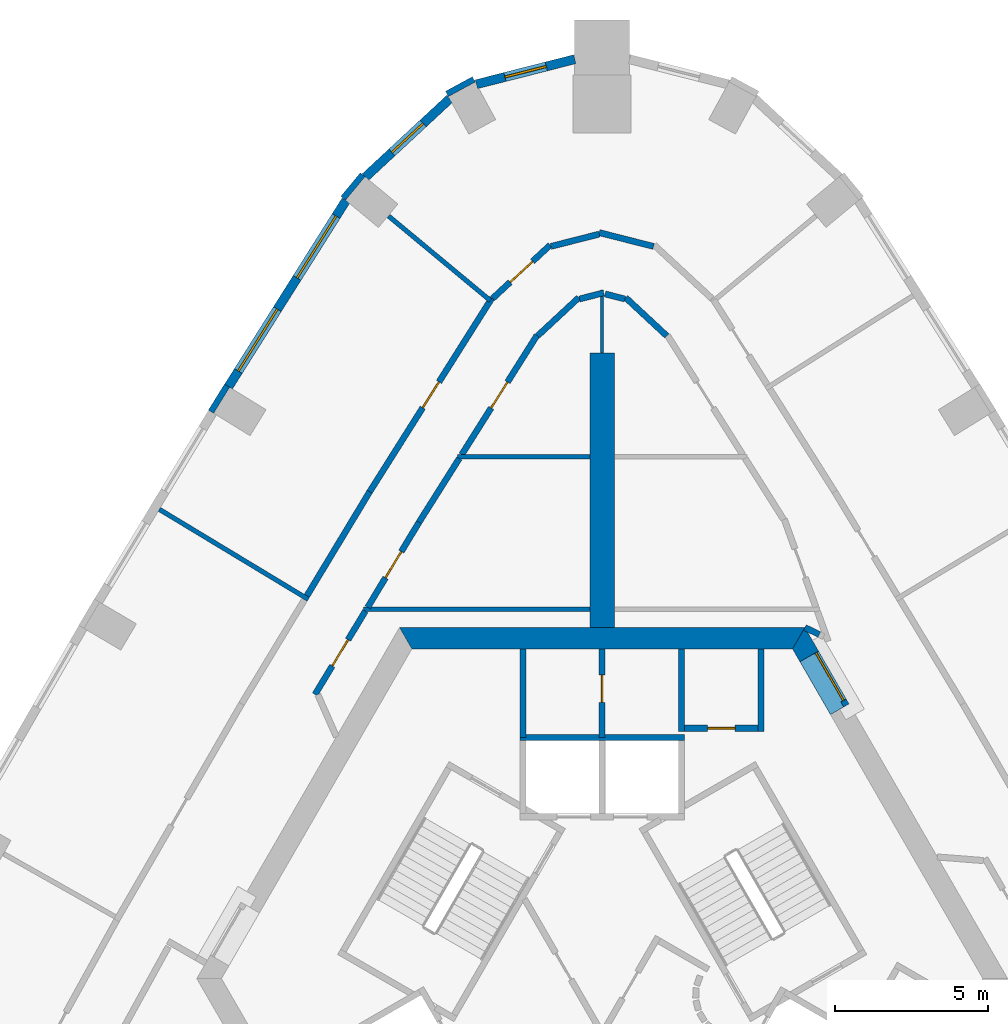
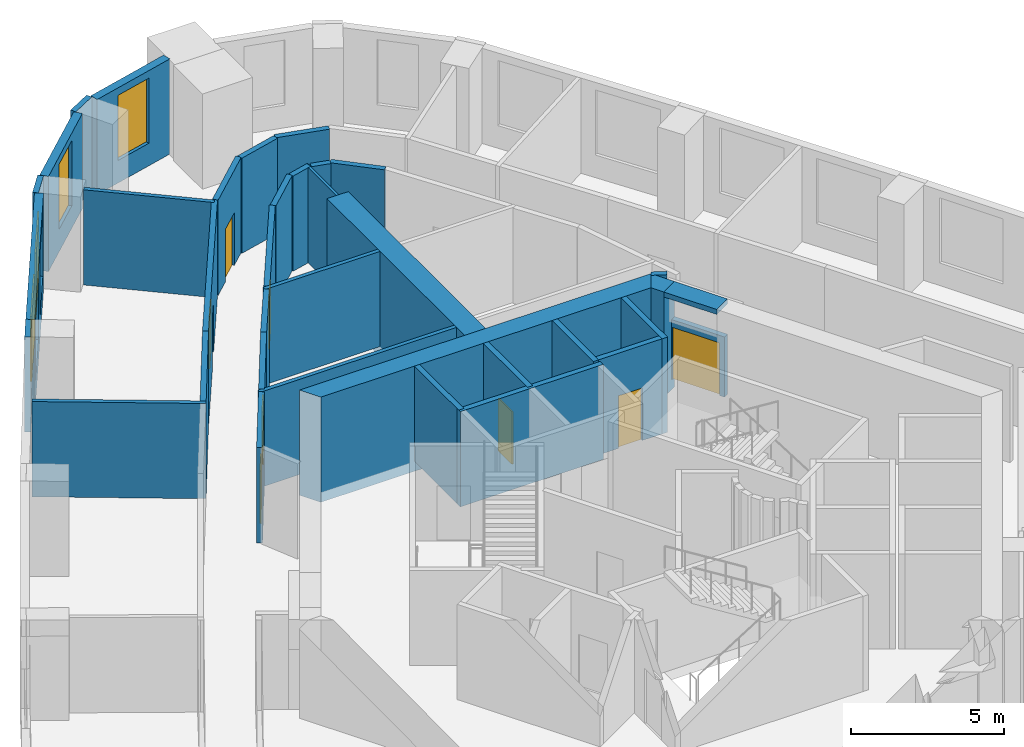
# One storey, part 8 of 11: 36 walls, 8 doors, 4 windows, 12 openings.
"""IFC4 building model written with IfcOpenShell, lengths in metres."""

from ifc_helpers import new_model, si_unit, direction, frame, frame_2d, origin, place, context, subcontext, project, spatial, polyline, rectangle, outline, extrude, material, layer, layer_set, type_object, element, fill, save


model = new_model("IFC4")

# Units and contexts
model_context = context("Model", 3, precision=1e-05, world=origin(), true_north=direction((0.0, 1.0)))
body_context = subcontext(model_context, "Body", "Model", "MODEL_VIEW")
ifc_project = project(units=[si_unit("LENGTHUNIT", "METRE"), si_unit("AREAUNIT", "SQUARE_METRE"), si_unit("VOLUMEUNIT", "CUBIC_METRE"), si_unit("PLANEANGLEUNIT", "RADIAN"), si_unit("MASSUNIT", "GRAM", prefix="KILO")], contexts=[model_context])

# Site, building, storey
site_placement = place(None, origin())
site = spatial("IfcSite", under=ifc_project, at=site_placement, CompositionType="ELEMENT")
building_placement = place(site_placement, origin())
building = spatial("IfcBuilding", under=site, at=building_placement, Name="Entoto Arch Interchange Tower", CompositionType="ELEMENT")
storey_placement = place(building_placement, frame((0.0, 0.0, 194.0)))
storey = spatial("IfcBuildingStorey", under=building, at=storey_placement, Name="L43", CompositionType="ELEMENT", Elevation=194.0)

# Wall
ifc_material_1 = material(Name="Concrete C50/60", Category="concrete")
ifc_layer_1 = layer(ifc_material_1, 0.800048828125)
ifc_layer_set_1 = layer_set([ifc_layer_1], Name="Concrete C50/60")
wall_type_1 = type_object("IfcWallType", Name="Buttress wall 800 C50/60", PredefinedType="SHEAR", material=ifc_layer_set_1)
wall_1_placement = place(storey_placement, frame((0.0, 14.0, -0.39990234375), z_axis=(0.0, 0.0, 1.0), x_axis=(0.0, 1.0, 0.0)))
element("IfcWall", 1, at=wall_1_placement, inside=storey, type_object=wall_type_1, Name="Buttress wall N L43", PredefinedType="SHEAR", context=body_context, shape_type="SweptSolid", body=[
    extrude(rectangle(XDim=9.0, YDim=0.800048828125, at=frame_2d((4.5, 0.0))), origin(), (0.0, 0.0, 1.0), 4.199951171875),
])

# Wall, opening, door
ifc_material_2 = material(Name="Reinforced concrete C40/50", Category="concrete")
ifc_layer_2 = layer(ifc_material_2, 0.199951171875)
ifc_layer_set_2 = layer_set([ifc_layer_2], Name="Reinforced concrete C40/50")
wall_type_2 = type_object("IfcWallType", Name="CORE GAP INFILL WALL", PredefinedType="PARTITIONING", material=ifc_layer_set_2)
wall_2_placement = place(storey_placement, frame((7.9970703125, 11.447998046875, 0.0), z_axis=(0.0, 0.0, 1.0), x_axis=(-0.50002537861, 0.866010750942, 0.0)))
wall_2 = element("IfcWall", 2, at=wall_2_placement, inside=storey, type_object=wall_type_2, Name="wall:L43:gap2", PredefinedType="PARTITIONING", context=body_context, shape_type="SweptSolid", body=[
    extrude(rectangle(XDim=2.0, YDim=0.199951171875, at=frame_2d((1.0, 0.0))), origin(), (0.0, 0.0, 1.0), 2.39990234375),
])
opening_1_placement = place(wall_2_placement, frame((0.18994140625, 0.0, 0.0)))
opening_1 = element("IfcOpeningElement", 3, at=opening_1_placement, cuts=wall_2, Name="Opening L43-D92", PredefinedType="OPENING", context=body_context, shape_type="SweptSolid", body=[
    extrude(rectangle(XDim=1.800048828125, YDim=2.10009765625, at=frame_2d((0.89990234375, 1.050048828125))), frame((0.0, 0.10986328125, 0.0), z_axis=(0.0, -1.0, 0.0), x_axis=(1.0, 0.0, 0.0)), (0.0, 0.0, 1.0), 0.219970703125),
])
ifc_material_3 = material(Name="Fire-rated Steel S235 door and frame", Category="steel")
door_type_1 = type_object("IfcDoorType", Name="DOOR FD-18 1800x2100", OperationType="DOUBLE_DOOR_SINGLE_SWING", PredefinedType="DOOR", material=ifc_material_3)
door_1_placement = place(opening_1_placement, origin())
door_1 = element("IfcDoor", 4, at=door_1_placement, inside=storey, type_object=door_type_1, Name="door:L43:gap2", OperationType="DOUBLE_DOOR_SINGLE_SWING", OverallHeight=2.10009765625, OverallWidth=1.800048828125, PredefinedType="DOOR", context=body_context, shape_type="SweptSolid", body=[
    extrude(rectangle(XDim=1.800048828125, YDim=2.10009765625, at=frame_2d((0.89990234375, 1.050048828125))), frame((0.0, 0.02490234375, 0.0), z_axis=(0.0, -1.0, 0.0), x_axis=(1.0, 0.0, 0.0)), (0.0, 0.0, 1.0), 0.050048828125),
])
fill(opening_1, door_1)

# Walls
ifc_layer_3 = layer(ifc_material_1, 0.699951171875)
ifc_layer_set_3 = layer_set([ifc_layer_3], Name="Concrete C50/60")
wall_type_3 = type_object("IfcWallType", Name="Core wall 700 C50/60", PredefinedType="SHEAR", material=ifc_layer_set_3)
wall_3_placement = place(storey_placement, frame((0.0, 0.0, -0.39990234375)))
element("IfcWall", 5, at=wall_3_placement, inside=storey, type_object=wall_type_3, Name="Core wall NE L43", PredefinedType="SHEAR", context=body_context, shape_type="SweptSolid", body=[
    extrude(outline(polyline([(6.47802734375, 12.8798828125), (7.083984375, 13.22998046875), (6.639892578125, 14.0), (6.235107421875, 13.300048828125), (6.47802734375, 12.8798828125)])), origin(), (0.0, 0.0, 1.0), 4.199951171875),
])
wall_4_placement = place(storey_placement, frame((0.0, 0.0, 3.60009765625)))
element("IfcWall", 6, at=wall_4_placement, inside=storey, type_object=wall_type_3, Name="Core wall lintel NE L43", PredefinedType="SHEAR", context=body_context, shape_type="SweptSolid", body=[
    extrude(outline(polyline([(7.083984375, 13.22998046875), (6.47802734375, 12.8798828125), (7.47802734375, 11.14794921875), (8.083984375, 11.498046875), (7.083984375, 13.22998046875)])), origin(), (0.0, 0.0, 1.0), 0.199951171875),
])
wall_5_placement = place(storey_placement, frame((0.0, 0.0, -0.39990234375)))
element("IfcWall", 7, at=wall_5_placement, inside=storey, type_object=wall_type_3, Name="Core wall N L43", PredefinedType="SHEAR", context=body_context, shape_type="SweptSolid", body=[
    extrude(outline(polyline([(6.639892578125, 14.0), (-6.639892578125, 14.0), (-6.235107421875, 13.300048828125), (6.235107421875, 13.300048828125), (6.639892578125, 14.0)])), origin(), (0.0, 0.0, 1.0), 4.199951171875),
])
ifc_material_4 = material(Name="Concrete C40/50", Category="concrete")
ifc_layer_4 = layer(ifc_material_4, 0.199951171875)
ifc_layer_set_4 = layer_set([ifc_layer_4], Name="Concrete C40/50")
wall_type_4 = type_object("IfcWallType", Name="LIFT SHAFT WALL 200", PredefinedType="STANDARD", material=ifc_layer_set_4)
wall_6_placement = place(storey_placement, frame((2.699951171875, 10.39990234375, 0.0), z_axis=(0.0, 0.0, 1.0), x_axis=(-1.0, 0.0, 0.0)))
element("IfcWall", 8, at=wall_6_placement, inside=storey, type_object=wall_type_4, Name="Shaft wall N1 back", PredefinedType="STANDARD", context=body_context, shape_type="SweptSolid", body=[
    extrude(rectangle(XDim=5.39990234375, YDim=0.199951171875, at=frame_2d((2.699951171875, 0.0))), origin(), (0.0, 0.0, 1.0), 3.800048828125),
])
ifc_material_5 = material(Name="Gypsum board partition on steel studs", Category="steel")
ifc_layer_5 = layer(ifc_material_5, 0.10009765625)
ifc_layer_set_5 = layer_set([ifc_layer_5], Name="Gypsum board partition on steel studs")
wall_type_5 = type_object("IfcWallType", Name="PARTITION 100", PredefinedType="PARTITIONING", material=ifc_layer_set_5)
wall_7_placement = place(storey_placement, frame((0.0, 23.0, 0.0), z_axis=(0.0, 0.0, 1.0), x_axis=(0.0, 1.0, 0.0)))
element("IfcWall", 9, at=wall_7_placement, inside=storey, type_object=wall_type_5, Name="wall:L43:p102", PredefinedType="PARTITIONING", context=body_context, shape_type="SweptSolid", body=[
    extrude(rectangle(XDim=2.051025390625, YDim=0.10009765625, at=frame_2d((1.025390625, 0.0))), origin(), (0.0, 0.0, 1.0), 3.800048828125),
])
ifc_layer_6 = layer(ifc_material_5, 0.14990234375)
ifc_layer_set_6 = layer_set([ifc_layer_6], Name="Gypsum board partition on steel studs")
wall_type_6 = type_object("IfcWallType", Name="PARTITION 150", PredefinedType="PARTITIONING", material=ifc_layer_set_6)
wall_8_placement = place(storey_placement, frame((-0.39990234375, 14.60009765625, 0.0), z_axis=(0.0, 0.0, 1.0), x_axis=(-1.0, 0.0, 0.0)))
element("IfcWall", 10, at=wall_8_placement, inside=storey, type_object=wall_type_6, Name="wall:L43:p078", PredefinedType="PARTITIONING", context=body_context, shape_type="SweptSolid", body=[
    extrude(rectangle(XDim=7.420166015625, YDim=0.14990234375, at=frame_2d((3.7099609375, 0.0))), origin(), (0.0, 0.0, 1.0), 3.800048828125),
])
wall_9_placement = place(storey_placement, frame((-4.741943359375, 19.60009765625, 0.0), z_axis=(0.0, 0.0, 1.0), x_axis=(1.0, 0.0, 0.0)))
element("IfcWall", 11, at=wall_9_placement, inside=storey, type_object=wall_type_6, Name="wall:L43:p101", PredefinedType="PARTITIONING", context=body_context, shape_type="SweptSolid", body=[
    extrude(rectangle(XDim=4.342041015625, YDim=0.14990234375, at=frame_2d((2.1708984375, 0.0))), origin(), (0.0, 0.0, 1.0), 3.800048828125),
])
wall_10_placement = place(storey_placement, frame((-3.6630859375, 24.7099609375, 0.0), z_axis=(0.0, 0.0, 1.0), x_axis=(-0.76953221629, 0.638607992505, 0.0)))
element("IfcWall", 12, at=wall_10_placement, inside=storey, type_object=wall_type_6, Name="wall:L43:p116", PredefinedType="PARTITIONING", context=body_context, shape_type="SweptSolid", body=[
    extrude(rectangle(XDim=4.329833984375, YDim=0.14990234375, at=frame_2d((2.1650390625, 0.0))), origin(), (0.0, 0.0, 1.0), 3.800048828125),
])
wall_11_placement = place(storey_placement, frame((-9.6279296875, 14.924072265625, 0.0), z_axis=(0.0, 0.0, 1.0), x_axis=(-0.855931736607, 0.517088834021, 0.0)))
element("IfcWall", 13, at=wall_11_placement, inside=storey, type_object=wall_type_6, Name="wall:L43:p117", PredefinedType="PARTITIONING", context=body_context, shape_type="SweptSolid", body=[
    extrude(rectangle(XDim=5.69921875, YDim=0.14990234375, at=frame_2d((2.849609375, 0.0))), origin(), (0.0, 0.0, 1.0), 3.800048828125),
])
ifc_layer_7 = layer(ifc_material_5, 0.199951171875)
ifc_layer_set_7 = layer_set([ifc_layer_7], Name="Gypsum board partition on steel studs")
wall_type_7 = type_object("IfcWallType", Name="PARTITION 200", PredefinedType="PARTITIONING", material=ifc_layer_set_7)
wall_12_placement = place(storey_placement, frame((6.639892578125, 14.0, 0.0), z_axis=(0.0, 0.0, 1.0), x_axis=(0.899046412443, -0.437853341055, 0.0)))
element("IfcWall", 14, at=wall_12_placement, inside=storey, type_object=wall_type_7, Name="wall:L43:p001", PredefinedType="PARTITIONING", context=body_context, shape_type="SweptSolid", body=[
    extrude(rectangle(XDim=0.52294921875, YDim=0.199951171875, at=frame_2d((0.261474609375, 0.0))), origin(), (0.0, 0.0, 1.0), 3.800048828125),
])

# Wall, opening, door
wall_13_placement = place(storey_placement, frame((-7.759033203125, 14.535888671875, 0.0), z_axis=(0.0, 0.0, 1.0), x_axis=(-0.516926279395, -0.856029918678, 0.0)))
wall_13 = element("IfcWall", 15, at=wall_13_placement, inside=storey, type_object=wall_type_7, Name="wall:L43:p003", PredefinedType="PARTITIONING", context=body_context, shape_type="SweptSolid", body=[
    extrude(rectangle(XDim=3.18798828125, YDim=0.199951171875, at=frame_2d((1.593994140625, 0.0))), origin(), (0.0, 0.0, 1.0), 3.800048828125),
])
opening_2_placement = place(wall_13_placement, frame((1.093994140625, 0.0, 0.0)))
opening_2 = element("IfcOpeningElement", 16, at=opening_2_placement, cuts=wall_13, Name="Opening L43-D26", PredefinedType="OPENING", context=body_context, shape_type="SweptSolid", body=[
    extrude(rectangle(XDim=1.0, YDim=2.10009765625, at=frame_2d((0.5, 1.050048828125))), frame((0.0, 0.10986328125, 0.0), z_axis=(0.0, -1.0, 0.0), x_axis=(1.0, 0.0, 0.0)), (0.0, 0.0, 1.0), 0.219970703125),
])
ifc_material_6 = material(Name="Timber door leaf in Steel S235 frame", Category="steel")
door_type_2 = type_object("IfcDoorType", Name="DOOR DS-10 1000x2100", OperationType="SINGLE_SWING_LEFT", PredefinedType="DOOR", material=ifc_material_6)
door_2_placement = place(opening_2_placement, origin())
door_2 = element("IfcDoor", 17, at=door_2_placement, inside=storey, type_object=door_type_2, Name="door:L43:26", OperationType="SINGLE_SWING_LEFT", OverallHeight=2.10009765625, OverallWidth=1.0, PredefinedType="DOOR", context=body_context, shape_type="SweptSolid", body=[
    extrude(rectangle(XDim=1.0, YDim=2.10009765625, at=frame_2d((0.5, 1.050048828125))), frame((0.0, 0.02490234375, 0.0), z_axis=(0.0, -1.0, 0.0), x_axis=(1.0, 0.0, 0.0)), (0.0, 0.0, 1.0), 0.050048828125),
])
fill(opening_2, door_2)

# Wall
wall_14_placement = place(storey_placement, frame((-4.681884765625, 19.537109375, 0.0), z_axis=(0.0, 0.0, 1.0), x_axis=(-0.533579580306, -0.845749863423, 0.0)))
element("IfcWall", 18, at=wall_14_placement, inside=storey, type_object=wall_type_7, Name="wall:L43:p009", PredefinedType="PARTITIONING", context=body_context, shape_type="SweptSolid", body=[
    extrude(rectangle(XDim=2.466552734375, YDim=0.199951171875, at=frame_2d((1.2333984375, 0.0))), origin(), (0.0, 0.0, 1.0), 3.800048828125),
])

# Wall, opening, door
wall_15_placement = place(storey_placement, frame((-5.998046875, 17.450927734375, 0.0), z_axis=(0.0, 0.0, 1.0), x_axis=(-0.516919907997, -0.856033766108, 0.0)))
wall_15 = element("IfcWall", 19, at=wall_15_placement, inside=storey, type_object=wall_type_7, Name="wall:L43:p010", PredefinedType="PARTITIONING", context=body_context, shape_type="SweptSolid", body=[
    extrude(rectangle(XDim=3.255615234375, YDim=0.199951171875, at=frame_2d((1.6279296875, 0.0))), origin(), (0.0, 0.0, 1.0), 3.800048828125),
])
opening_3_placement = place(wall_15_placement, frame((1.1279296875, 0.0, 0.0)))
opening_3 = element("IfcOpeningElement", 20, at=opening_3_placement, cuts=wall_15, Name="Opening L43-D22", PredefinedType="OPENING", context=body_context, shape_type="SweptSolid", body=[
    extrude(rectangle(XDim=1.0, YDim=2.10009765625, at=frame_2d((0.5, 1.050048828125))), frame((0.0, 0.10986328125, 0.0), z_axis=(0.0, -1.0, 0.0), x_axis=(1.0, 0.0, 0.0)), (0.0, 0.0, 1.0), 0.219970703125),
])
door_3_placement = place(opening_3_placement, origin())
door_3 = element("IfcDoor", 21, at=door_3_placement, inside=storey, type_object=door_type_2, Name="door:L43:22", OperationType="SINGLE_SWING_RIGHT", OverallHeight=2.10009765625, OverallWidth=1.0, PredefinedType="DOOR", context=body_context, shape_type="SweptSolid", body=[
    extrude(rectangle(XDim=1.0, YDim=2.10009765625, at=frame_2d((0.5, 1.050048828125))), frame((0.0, 0.02490234375, 0.0), z_axis=(0.0, -1.0, 0.0), x_axis=(1.0, 0.0, 0.0)), (0.0, 0.0, 1.0), 0.050048828125),
])
fill(opening_3, door_3)

# Walls
wall_16_placement = place(storey_placement, frame((2.115966796875, 23.553955078125, 0.0), z_axis=(0.0, 0.0, 1.0), x_axis=(-0.732722533409, 0.680527507919, 0.0)))
element("IfcWall", 22, at=wall_16_placement, inside=storey, type_object=wall_type_7, Name="wall:L43:p012", PredefinedType="PARTITIONING", context=body_context, shape_type="SweptSolid", body=[
    extrude(rectangle(XDim=1.838134765625, YDim=0.199951171875, at=frame_2d((0.9189453125, 0.0))), origin(), (0.0, 0.0, 1.0), 3.800048828125),
])
wall_17_placement = place(storey_placement, frame((0.7451171875, 24.760986328125, 0.0), z_axis=(0.0, 0.0, 1.0), x_axis=(-0.969081307177, 0.246741605895, 0.0)))
element("IfcWall", 23, at=wall_17_placement, inside=storey, type_object=wall_type_7, Name="wall:L43:p013", PredefinedType="PARTITIONING", context=body_context, shape_type="SweptSolid", body=[
    extrude(rectangle(XDim=0.6689453125, YDim=0.199951171875, at=frame_2d((0.33447265625, 0.0))), origin(), (0.0, 0.0, 1.0), 3.800048828125),
])
wall_18_placement = place(storey_placement, frame((0.048095703125, 24.962890625, 0.0), z_axis=(0.0, 0.0, 1.0), x_axis=(-0.969098470359, -0.246674187438, 0.0)))
element("IfcWall", 24, at=wall_18_placement, inside=storey, type_object=wall_type_7, Name="wall:L43:p014", PredefinedType="PARTITIONING", context=body_context, shape_type="SweptSolid", body=[
    extrude(rectangle(XDim=0.818603515625, YDim=0.199951171875, at=frame_2d((0.4091796875, 0.0))), origin(), (0.0, 0.0, 1.0), 3.800048828125),
])
wall_19_placement = place(storey_placement, frame((-0.76904296875, 24.804931640625, 0.0), z_axis=(0.0, 0.0, 1.0), x_axis=(-0.732722533409, -0.680527507919, 0.0)))
element("IfcWall", 25, at=wall_19_placement, inside=storey, type_object=wall_type_7, Name="wall:L43:p015", PredefinedType="PARTITIONING", context=body_context, shape_type="SweptSolid", body=[
    extrude(rectangle(XDim=1.838134765625, YDim=0.199951171875, at=frame_2d((0.9189453125, 0.0))), origin(), (0.0, 0.0, 1.0), 3.800048828125),
])

# Wall, opening, door
wall_20_placement = place(storey_placement, frame((-2.135986328125, 23.571044921875, 0.0), z_axis=(0.0, 0.0, 1.0), x_axis=(-0.533664968846, -0.845695986171, 0.0)))
wall_20 = element("IfcWall", 26, at=wall_20_placement, inside=storey, type_object=wall_type_7, Name="wall:L43:p016", PredefinedType="PARTITIONING", context=body_context, shape_type="SweptSolid", body=[
    extrude(rectangle(XDim=4.62109375, YDim=0.199951171875, at=frame_2d((2.310546875, 0.0))), origin(), (0.0, 0.0, 1.0), 3.800048828125),
])
opening_4_placement = place(wall_20_placement, frame((1.81005859375, 0.0, 0.0)))
opening_4 = element("IfcOpeningElement", 27, at=opening_4_placement, cuts=wall_20, Name="Opening L43-D24", PredefinedType="OPENING", context=body_context, shape_type="SweptSolid", body=[
    extrude(rectangle(XDim=1.0, YDim=2.10009765625, at=frame_2d((0.5, 1.050048828125))), frame((0.0, 0.10986328125, 0.0), z_axis=(0.0, -1.0, 0.0), x_axis=(1.0, 0.0, 0.0)), (0.0, 0.0, 1.0), 0.219970703125),
])
door_4_placement = place(opening_4_placement, origin())
door_4 = element("IfcDoor", 28, at=door_4_placement, inside=storey, type_object=door_type_2, Name="door:L43:24", OperationType="SINGLE_SWING_LEFT", OverallHeight=2.10009765625, OverallWidth=1.0, PredefinedType="DOOR", context=body_context, shape_type="SweptSolid", body=[
    extrude(rectangle(XDim=1.0, YDim=2.10009765625, at=frame_2d((0.5, 1.050048828125))), frame((0.0, 0.02490234375, 0.0), z_axis=(0.0, -1.0, 0.0), x_axis=(1.0, 0.0, 0.0)), (0.0, 0.0, 1.0), 0.050048828125),
])
fill(opening_4, door_4)

wall_21_placement = place(storey_placement, frame((-3.590087890625, 24.778076171875, 0.0), z_axis=(0.0, 0.0, 1.0), x_axis=(0.732939008525, 0.680294355248, 0.0)))
wall_21 = element("IfcWall", 29, at=wall_21_placement, inside=storey, type_object=wall_type_7, Name="wall:L43:p048", PredefinedType="PARTITIONING", context=body_context, shape_type="SweptSolid", body=[
    extrude(rectangle(XDim=2.569091796875, YDim=0.199951171875, at=frame_2d((1.28466796875, 0.0))), origin(), (0.0, 0.0, 1.0), 3.800048828125),
])
opening_5_placement = place(wall_21_placement, frame((0.784912109375, 0.0, 0.0)))
opening_5 = element("IfcOpeningElement", 30, at=opening_5_placement, cuts=wall_21, Name="Opening L43-D09", PredefinedType="OPENING", context=body_context, shape_type="SweptSolid", body=[
    extrude(rectangle(XDim=1.0, YDim=2.10009765625, at=frame_2d((0.5, 1.050048828125))), frame((0.0, 0.10986328125, 0.0), z_axis=(0.0, -1.0, 0.0), x_axis=(1.0, 0.0, 0.0)), (0.0, 0.0, 1.0), 0.219970703125),
])
door_5_placement = place(opening_5_placement, origin())
door_5 = element("IfcDoor", 31, at=door_5_placement, inside=storey, type_object=door_type_2, Name="door:L43:09", OperationType="SINGLE_SWING_LEFT", OverallHeight=2.10009765625, OverallWidth=1.0, PredefinedType="DOOR", context=body_context, shape_type="SweptSolid", body=[
    extrude(rectangle(XDim=1.0, YDim=2.10009765625, at=frame_2d((0.5, 1.050048828125))), frame((0.0, 0.02490234375, 0.0), z_axis=(0.0, -1.0, 0.0), x_axis=(1.0, 0.0, 0.0)), (0.0, 0.0, 1.0), 0.050048828125),
])
fill(opening_5, door_5)

# Walls
wall_22_placement = place(storey_placement, frame((-1.68310546875, 26.48291015625, 0.0), z_axis=(0.0, 0.0, 1.0), x_axis=(0.969053723172, 0.246849917169, 0.0)))
element("IfcWall", 32, at=wall_22_placement, inside=storey, type_object=wall_type_7, Name="wall:L43:p049", PredefinedType="PARTITIONING", context=body_context, shape_type="SweptSolid", body=[
    extrude(rectangle(XDim=1.63671875, YDim=0.199951171875, at=frame_2d((0.818359375, 0.0))), origin(), (0.0, 0.0, 1.0), 3.800048828125),
])
wall_23_placement = place(storey_placement, frame((-0.096923828125, 26.93603515625, 0.0), z_axis=(0.0, 0.0, 1.0), x_axis=(0.969093707519, -0.246692898252, 0.0)))
element("IfcWall", 33, at=wall_23_placement, inside=storey, type_object=wall_type_7, Name="wall:L43:p050", PredefinedType="PARTITIONING", context=body_context, shape_type="SweptSolid", body=[
    extrude(rectangle(XDim=1.8369140625, YDim=0.199951171875, at=frame_2d((0.91845703125, 0.0))), origin(), (0.0, 0.0, 1.0), 3.800048828125),
])
wall_24_placement = place(storey_placement, frame((-9.674072265625, 15.0390625, 0.0), z_axis=(0.0, 0.0, 1.0), x_axis=(0.516918251554, 0.856034766356, 0.0)))
element("IfcWall", 34, at=wall_24_placement, inside=storey, type_object=wall_type_7, Name="wall:L43:p052", PredefinedType="PARTITIONING", context=body_context, shape_type="SweptSolid", body=[
    extrude(rectangle(XDim=3.9833984375, YDim=0.199951171875, at=frame_2d((1.99169921875, 0.0))), origin(), (0.0, 0.0, 1.0), 3.800048828125),
])

# Wall, opening, door
wall_25_placement = place(storey_placement, frame((-7.614990234375, 18.448974609375, 0.0), z_axis=(0.0, 0.0, 1.0), x_axis=(0.533699180497, 0.845674396406, 0.0)))
wall_25 = element("IfcWall", 35, at=wall_25_placement, inside=storey, type_object=wall_type_7, Name="wall:L43:p053", PredefinedType="PARTITIONING", context=body_context, shape_type="SweptSolid", body=[
    extrude(rectangle(XDim=7.50390625, YDim=0.199951171875, at=frame_2d((3.751953125, 0.0))), origin(), (0.0, 0.0, 1.0), 3.800048828125),
])
opening_6_placement = place(wall_25_placement, frame((3.251953125, 0.0, 0.0)))
opening_6 = element("IfcOpeningElement", 36, at=opening_6_placement, cuts=wall_25, Name="Opening L43-D10", PredefinedType="OPENING", context=body_context, shape_type="SweptSolid", body=[
    extrude(rectangle(XDim=1.0, YDim=2.10009765625, at=frame_2d((0.5, 1.050048828125))), frame((0.0, 0.10986328125, 0.0), z_axis=(0.0, -1.0, 0.0), x_axis=(1.0, 0.0, 0.0)), (0.0, 0.0, 1.0), 0.219970703125),
])
door_6_placement = place(opening_6_placement, origin())
door_6 = element("IfcDoor", 37, at=door_6_placement, inside=storey, type_object=door_type_2, Name="door:L43:10", OperationType="SINGLE_SWING_RIGHT", OverallHeight=2.10009765625, OverallWidth=1.0, PredefinedType="DOOR", context=body_context, shape_type="SweptSolid", body=[
    extrude(rectangle(XDim=1.0, YDim=2.10009765625, at=frame_2d((0.5, 1.050048828125))), frame((0.0, 0.02490234375, 0.0), z_axis=(0.0, -1.0, 0.0), x_axis=(1.0, 0.0, 0.0)), (0.0, 0.0, 1.0), 0.050048828125),
])
fill(opening_6, door_6)

# Wall
wall_26_placement = place(storey_placement, frame((5.199951171875, 13.300048828125, 0.0), z_axis=(0.0, 0.0, 1.0), x_axis=(0.0, -1.0, 0.0)))
element("IfcWall", 38, at=wall_26_placement, inside=storey, type_object=wall_type_7, Name="wall:L43:p066", PredefinedType="PARTITIONING", context=body_context, shape_type="SweptSolid", body=[
    extrude(rectangle(XDim=2.699951171875, YDim=0.199951171875, at=frame_2d((1.35009765625, 0.0))), origin(), (0.0, 0.0, 1.0), 3.800048828125),
])

# Wall, opening, door
wall_27_placement = place(storey_placement, frame((5.10009765625, 10.699951171875, 0.0), z_axis=(0.0, 0.0, 1.0), x_axis=(-1.0, 0.0, 0.0)))
wall_27 = element("IfcWall", 39, at=wall_27_placement, inside=storey, type_object=wall_type_7, Name="wall:L43:p067", PredefinedType="PARTITIONING", context=body_context, shape_type="SweptSolid", body=[
    extrude(rectangle(XDim=2.400146484375, YDim=0.199951171875, at=frame_2d((1.2001953125, 0.0))), origin(), (0.0, 0.0, 1.0), 3.800048828125),
])
opening_7_placement = place(wall_27_placement, frame((0.75, 0.0, 0.0)))
opening_7 = element("IfcOpeningElement", 40, at=opening_7_placement, cuts=wall_27, Name="Opening L43-D30", PredefinedType="OPENING", context=body_context, shape_type="SweptSolid", body=[
    extrude(rectangle(XDim=0.89990234375, YDim=2.10009765625, at=frame_2d((0.449951171875, 1.050048828125))), frame((0.0, 0.10986328125, 0.0), z_axis=(0.0, -1.0, 0.0), x_axis=(1.0, 0.0, 0.0)), (0.0, 0.0, 1.0), 0.219970703125),
])
door_type_3 = type_object("IfcDoorType", Name="DOOR DS-09 900x2100", OperationType="SINGLE_SWING_LEFT", PredefinedType="DOOR", material=ifc_material_6)
door_7_placement = place(opening_7_placement, origin())
door_7 = element("IfcDoor", 41, at=door_7_placement, inside=storey, type_object=door_type_3, Name="door:L43:30", OperationType="SINGLE_SWING_RIGHT", OverallHeight=2.10009765625, OverallWidth=0.89990234375, PredefinedType="DOOR", context=body_context, shape_type="SweptSolid", body=[
    extrude(rectangle(XDim=0.89990234375, YDim=2.10009765625, at=frame_2d((0.449951171875, 1.050048828125))), frame((0.0, 0.02490234375, 0.0), z_axis=(0.0, -1.0, 0.0), x_axis=(1.0, 0.0, 0.0)), (0.0, 0.0, 1.0), 0.050048828125),
])
fill(opening_7, door_7)

# Walls
wall_28_placement = place(storey_placement, frame((2.60009765625, 10.60009765625, 0.0), z_axis=(0.0, 0.0, 1.0), x_axis=(0.0, 1.0, 0.0)))
element("IfcWall", 42, at=wall_28_placement, inside=storey, type_object=wall_type_7, Name="wall:L43:p068", PredefinedType="PARTITIONING", context=body_context, shape_type="SweptSolid", body=[
    extrude(rectangle(XDim=2.699951171875, YDim=0.199951171875, at=frame_2d((1.35009765625, 0.0))), origin(), (0.0, 0.0, 1.0), 3.800048828125),
])
wall_29_placement = place(storey_placement, frame((-2.59912109375, 10.39892578125, 0.0), z_axis=(0.0, 0.0, 1.0), x_axis=(-0.000336615314, 0.999999943345, 0.0)))
element("IfcWall", 43, at=wall_29_placement, inside=storey, type_object=wall_type_7, Name="wall:L43:p069", PredefinedType="PARTITIONING", context=body_context, shape_type="SweptSolid", body=[
    extrude(rectangle(XDim=2.901123046875, YDim=0.199951171875, at=frame_2d((1.45068359375, 0.0))), origin(), (0.0, 0.0, 1.0), 3.800048828125),
])

# Wall, opening, door
wall_30_placement = place(storey_placement, frame((0.0, 13.300048828125, 0.0), z_axis=(0.0, 0.0, 1.0), x_axis=(-0.000336728662, -0.999999943307, 0.0)))
wall_30 = element("IfcWall", 44, at=wall_30_placement, inside=storey, type_object=wall_type_7, Name="wall:L43:p070", PredefinedType="PARTITIONING", context=body_context, shape_type="SweptSolid", body=[
    extrude(rectangle(XDim=2.900146484375, YDim=0.199951171875, at=frame_2d((1.4501953125, 0.0))), origin(), (0.0, 0.0, 1.0), 3.800048828125),
])
opening_8_placement = place(wall_30_placement, frame((0.85009765625, 0.0, 0.0)))
opening_8 = element("IfcOpeningElement", 45, at=opening_8_placement, cuts=wall_30, Name="Opening L43-D31", PredefinedType="OPENING", context=body_context, shape_type="SweptSolid", body=[
    extrude(rectangle(XDim=0.89990234375, YDim=2.10009765625, at=frame_2d((0.449951171875, 1.050048828125))), frame((0.0, 0.10986328125, 0.0), z_axis=(0.0, -1.0, 0.0), x_axis=(1.0, 0.0, 0.0)), (0.0, 0.0, 1.0), 0.219970703125),
])
door_8_placement = place(opening_8_placement, origin())
door_8 = element("IfcDoor", 46, at=door_8_placement, inside=storey, type_object=door_type_3, Name="door:L43:31", OperationType="SINGLE_SWING_RIGHT", OverallHeight=2.10009765625, OverallWidth=0.89990234375, PredefinedType="DOOR", context=body_context, shape_type="SweptSolid", body=[
    extrude(rectangle(XDim=0.89990234375, YDim=2.10009765625, at=frame_2d((0.449951171875, 1.050048828125))), frame((0.0, 0.02490234375, 0.0), z_axis=(0.0, -1.0, 0.0), x_axis=(1.0, 0.0, 0.0)), (0.0, 0.0, 1.0), 0.050048828125),
])
fill(opening_8, door_8)

# Wall, opening, window
ifc_material_7 = material(Name="Welded tuff (ignimbrite) cladding, warm buff", Category="masonry")
ifc_layer_8 = layer(ifc_material_7, 0.300048828125)
ifc_layer_set_8 = layer_set([ifc_layer_8], Name="Welded tuff (ignimbrite) cladding, warm buff")
wall_type_8 = type_object("IfcWallType", Name="STONE INFILL WALL 300", PredefinedType="STANDARD", material=ifc_layer_set_8)
wall_31_placement = place(storey_placement, frame((-0.89892578125, 32.615966796875, 0.0), z_axis=(0.0, 0.0, 1.0), x_axis=(-0.969087915137, -0.24671565158, 0.0)))
wall_31 = element("IfcWall", 47, at=wall_31_placement, inside=storey, type_object=wall_type_8, Name="Facade wall N-03 L43", PredefinedType="STANDARD", context=body_context, shape_type="SweptSolid", body=[
    extrude(rectangle(XDim=3.323974609375, YDim=0.300048828125, at=frame_2d((1.662109375, 0.0))), origin(), (0.0, 0.0, 1.0), 3.800048828125),
])
opening_9_placement = place(wall_31_placement, frame((0.9619140625, 0.0, 0.89990234375)))
opening_9 = element("IfcOpeningElement", 48, at=opening_9_placement, cuts=wall_31, Name="Opening WO-B", PredefinedType="OPENING", context=body_context, shape_type="SweptSolid", body=[
    extrude(rectangle(XDim=1.39990234375, YDim=2.60009765625, at=frame_2d((0.699951171875, 1.300048828125))), frame((0.0, 0.16015625, 0.0), z_axis=(0.0, -1.0, 0.0), x_axis=(1.0, 0.0, 0.0)), (0.0, 0.0, 1.0), 0.320068359375),
])
ifc_material_8 = material(Name="Clear glass, low-e double glazed", Category="glass")
window_type_1 = type_object("IfcWindowType", Name="WINDOW WO-B 1400x2600", PartitioningType="DOUBLE_PANEL_VERTICAL", PredefinedType="WINDOW", material=ifc_material_8)
window_1_placement = place(opening_9_placement, origin())
window_1 = element("IfcWindow", 49, at=window_1_placement, inside=storey, type_object=window_type_1, Name="Window WO-B N-03 L43", OverallHeight=2.60009765625, OverallWidth=1.39990234375, PartitioningType="SINGLE_PANEL", PredefinedType="WINDOW", context=body_context, shape_type="SweptSolid", body=[
    extrude(rectangle(XDim=1.39990234375, YDim=2.60009765625, at=frame_2d((0.699951171875, 1.300048828125))), frame((0.0, 0.030029296875, 0.0), z_axis=(0.0, -1.0, 0.0), x_axis=(1.0, 0.0, 0.0)), (0.0, 0.0, 1.0), 0.06005859375),
])
fill(opening_9, window_1)

wall_32_placement = place(storey_placement, frame((-4.99609375, 31.319091796875, 0.0), z_axis=(0.0, 0.0, 1.0), x_axis=(-0.732897351132, -0.680339233547, 0.0)))
wall_32 = element("IfcWall", 50, at=wall_32_placement, inside=storey, type_object=wall_type_8, Name="Facade wall N-04 L43", PredefinedType="STANDARD", context=body_context, shape_type="SweptSolid", body=[
    extrude(rectangle(XDim=3.767333984375, YDim=0.300048828125, at=frame_2d((1.8837890625, 0.0))), origin(), (0.0, 0.0, 1.0), 3.800048828125),
])
opening_10_placement = place(wall_32_placement, frame((1.18408203125, 0.0, 0.89990234375)))
opening_10 = element("IfcOpeningElement", 51, at=opening_10_placement, cuts=wall_32, Name="Opening WO-B", PredefinedType="OPENING", context=body_context, shape_type="SweptSolid", body=[
    extrude(rectangle(XDim=1.39990234375, YDim=2.60009765625, at=frame_2d((0.699951171875, 1.300048828125))), frame((0.0, 0.16015625, 0.0), z_axis=(0.0, -1.0, 0.0), x_axis=(1.0, 0.0, 0.0)), (0.0, 0.0, 1.0), 0.320068359375),
])
window_2_placement = place(opening_10_placement, origin())
window_2 = element("IfcWindow", 52, at=window_2_placement, inside=storey, type_object=window_type_1, Name="Window WO-B N-04 L43", OverallHeight=2.60009765625, OverallWidth=1.39990234375, PartitioningType="SINGLE_PANEL", PredefinedType="WINDOW", context=body_context, shape_type="SweptSolid", body=[
    extrude(rectangle(XDim=1.39990234375, YDim=2.60009765625, at=frame_2d((0.699951171875, 1.300048828125))), frame((0.0, 0.030029296875, 0.0), z_axis=(0.0, -1.0, 0.0), x_axis=(1.0, 0.0, 0.0)), (0.0, 0.0, 1.0), 0.06005859375),
])
fill(opening_10, window_2)

# Wall, openings, windows
wall_33_placement = place(storey_placement, frame((-8.39404296875, 27.988037109375, 0.0), z_axis=(0.0, 0.0, 1.0), x_axis=(-0.533680752529, -0.845686025887, 0.0)))
wall_33 = element("IfcWall", 53, at=wall_33_placement, inside=storey, type_object=wall_type_8, Name="Facade wall NW-01 L43", PredefinedType="STANDARD", context=body_context, shape_type="SweptSolid", body=[
    extrude(rectangle(XDim=7.208251953125, YDim=0.300048828125, at=frame_2d((3.60400390625, 0.0))), origin(), (0.0, 0.0, 1.0), 3.800048828125),
])
opening_11_placement = place(wall_33_placement, frame((0.60205078125, 0.0, 0.89990234375)))
opening_11 = element("IfcOpeningElement", 54, at=opening_11_placement, cuts=wall_33, Name="Opening WO-A", PredefinedType="OPENING", context=body_context, shape_type="SweptSolid", body=[
    extrude(rectangle(XDim=2.39990234375, YDim=2.60009765625, at=frame_2d((1.199951171875, 1.300048828125))), frame((0.0, 0.16015625, 0.0), z_axis=(0.0, -1.0, 0.0), x_axis=(1.0, 0.0, 0.0)), (0.0, 0.0, 1.0), 0.320068359375),
])
opening_12_placement = place(wall_33_placement, frame((4.2060546875, 0.0, 0.89990234375)))
opening_12 = element("IfcOpeningElement", 55, at=opening_12_placement, cuts=wall_33, Name="Opening WO-A", PredefinedType="OPENING", context=body_context, shape_type="SweptSolid", body=[
    extrude(rectangle(XDim=2.39990234375, YDim=2.60009765625, at=frame_2d((1.199951171875, 1.300048828125))), frame((0.0, 0.16015625, 0.0), z_axis=(0.0, -1.0, 0.0), x_axis=(1.0, 0.0, 0.0)), (0.0, 0.0, 1.0), 0.320068359375),
])
window_type_2 = type_object("IfcWindowType", Name="WINDOW WO-A 2400x2600", PartitioningType="DOUBLE_PANEL_VERTICAL", PredefinedType="WINDOW", material=ifc_material_8)
window_3_placement = place(opening_11_placement, origin())
window_3 = element("IfcWindow", 56, at=window_3_placement, inside=storey, type_object=window_type_2, Name="Window WO-A NW-01 L43", OverallHeight=2.60009765625, OverallWidth=2.39990234375, PartitioningType="SINGLE_PANEL", PredefinedType="WINDOW", context=body_context, shape_type="SweptSolid", body=[
    extrude(rectangle(XDim=2.39990234375, YDim=2.60009765625, at=frame_2d((1.199951171875, 1.300048828125))), frame((0.0, 0.030029296875, 0.0), z_axis=(0.0, -1.0, 0.0), x_axis=(1.0, 0.0, 0.0)), (0.0, 0.0, 1.0), 0.06005859375),
])
fill(opening_11, window_3)
window_4_placement = place(opening_12_placement, origin())
window_4 = element("IfcWindow", 57, at=window_4_placement, inside=storey, type_object=window_type_2, Name="Window WO-A NW-01 L43", OverallHeight=2.60009765625, OverallWidth=2.39990234375, PartitioningType="SINGLE_PANEL", PredefinedType="WINDOW", context=body_context, shape_type="SweptSolid", body=[
    extrude(rectangle(XDim=2.39990234375, YDim=2.60009765625, at=frame_2d((1.199951171875, 1.300048828125))), frame((0.0, 0.030029296875, 0.0), z_axis=(0.0, -1.0, 0.0), x_axis=(1.0, 0.0, 0.0)), (0.0, 0.0, 1.0), 0.06005859375),
])
fill(opening_12, window_4)

# Walls
ifc_layer_9 = layer(ifc_material_7, 0.199951171875)
ifc_layer_set_9 = layer_set([ifc_layer_9], Name="Welded tuff (ignimbrite) cladding, warm buff")
wall_type_9 = type_object("IfcWallType", Name="STONE PIER CLADDING 200", PredefinedType="STANDARD", material=ifc_layer_set_9)
wall_34_placement = place(storey_placement, frame((-4.2060546875, 31.9560546875, 0.0), z_axis=(0.0, 0.0, 1.0), x_axis=(-0.878250009632, -0.478201757191, 0.0)))
element("IfcWall", 58, at=wall_34_placement, inside=storey, type_object=wall_type_9, Name="Stone pier N3 L43", PredefinedType="STANDARD", context=body_context, shape_type="SweptSolid", body=[
    extrude(rectangle(XDim=0.999755859375, YDim=0.199951171875, at=frame_2d((0.5, 0.0))), origin(), (0.0, 0.0, 1.0), 3.800048828125),
])
wall_35_placement = place(storey_placement, frame((-7.845947265625, 28.8310546875, 0.0), z_axis=(0.0, 0.0, 1.0), x_axis=(-0.637972365578, -0.770059257953, 0.0)))
element("IfcWall", 59, at=wall_35_placement, inside=storey, type_object=wall_type_9, Name="Stone pier NW01 L43", PredefinedType="STANDARD", context=body_context, shape_type="SweptSolid", body=[
    extrude(rectangle(XDim=1.0, YDim=0.199951171875, at=frame_2d((0.5, 0.0))), origin(), (0.0, 0.0, 1.0), 3.800048828125),
])
wall_36_placement = place(storey_placement, frame((-12.287109375, 21.922119140625, 0.0), z_axis=(0.0, 0.0, 1.0), x_axis=(-0.525648735675, -0.850701714282, 0.0)))
element("IfcWall", 60, at=wall_36_placement, inside=storey, type_object=wall_type_9, Name="Stone pier NW02 L43", PredefinedType="STANDARD", context=body_context, shape_type="SweptSolid", body=[
    extrude(rectangle(XDim=1.00048828125, YDim=0.199951171875, at=frame_2d((0.500244140625, 0.0))), origin(), (0.0, 0.0, 1.0), 3.800048828125),
])

save(model, "model.ifc")
